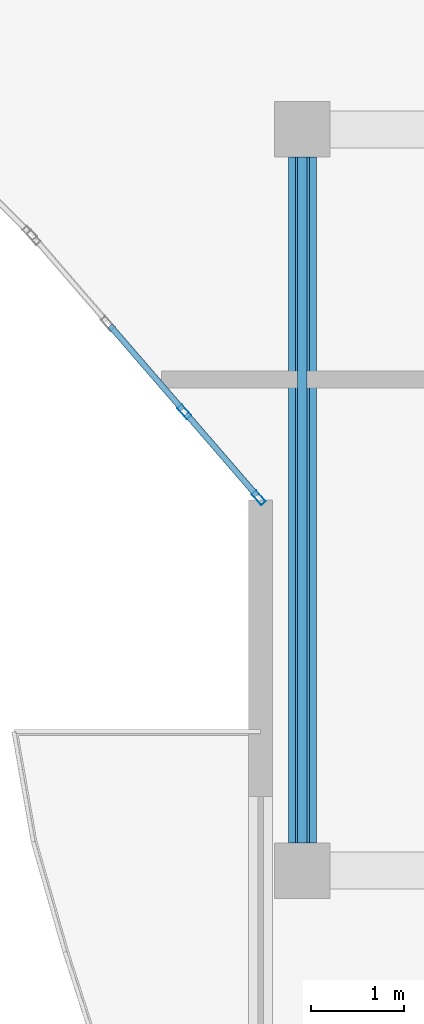
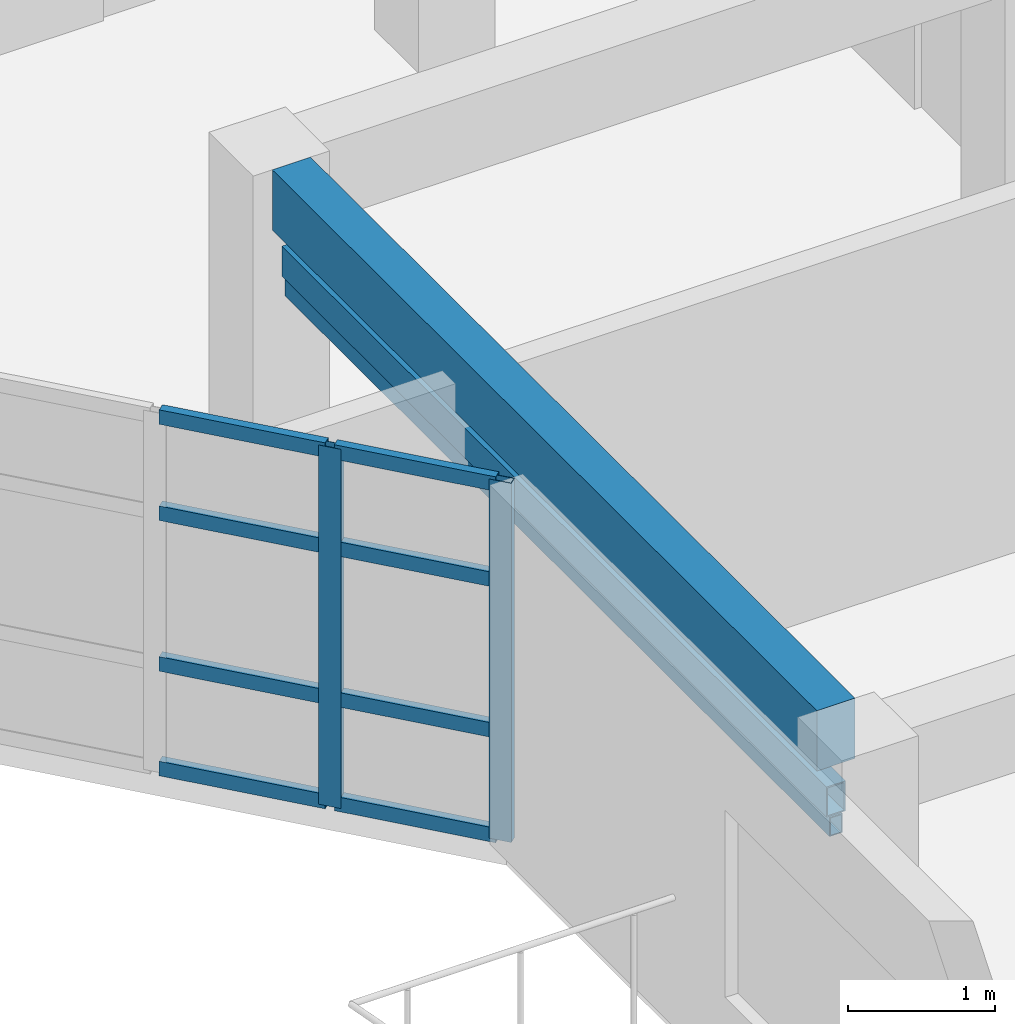
# One storey, part 12 of 76: 12 members, 1 beam, 1 element without a shape of its own.
"""IFC4 building model written with IfcOpenShell, lengths in metres."""

import ifcopenshell
import ifcopenshell.guid

model = None  # the IFC model being written
_history = None  # IfcOwnerHistory: only IFC2X3 demands one
_inside = {}  # id of a spatial element -> (the spatial element, [elements in it])
_under = {}  # id of a project, library or spatial element -> (it, [spatial elements below it])
_declared = {}  # id of a project -> (the project, [libraries it declares])
_typed = {}  # id of a type object -> (the type object, [elements of that type])
_made_of = {}  # id of a material, layer set ... -> (it, [elements and type objects made of it])


def new_model(schema):
    """Start an empty IFC model of exactly this schema.

    Asked for "IFC4X3", IfcOpenShell would pick the latest addendum, in which some entities
    have other attributes; the version numbers below select the first issue.
    IFC2X3 requires an IfcOwnerHistory on every rooted entity: one is made here for all.
    """
    global model, _history
    if schema == "IFC4X3":
        model = ifcopenshell.file(schema_version=(4, 3, 0, 0))
    else:
        model = ifcopenshell.file(schema=schema)
    _inside.clear()
    _under.clear()
    _declared.clear()
    _typed.clear()
    _made_of.clear()
    _history = None
    if model.schema == "IFC2X3":
        org = make("IfcOrganization", Name="unknown")
        user = make(
            "IfcPersonAndOrganization",
            ThePerson=make("IfcPerson", FamilyName="unknown"),
            TheOrganization=org,
        )
        app = make(
            "IfcApplication",
            ApplicationDeveloper=org,
            Version="unknown",
            ApplicationFullName="unknown",
            ApplicationIdentifier="unknown",
        )
        _history = make(
            "IfcOwnerHistory",
            OwningUser=user,
            OwningApplication=app,
            ChangeAction="ADDED",
            CreationDate=0,
        )
    return model


def make(cls, **values):
    """One entity of the class cls with the attributes given. An attribute that is None is left unset."""
    return model.create_entity(
        cls, **{name: value for name, value in values.items() if value is not None}
    )


def rooted(cls, **values):
    """An entity with a GlobalId (a new one), such as an element, a storey or a relation."""
    return make(cls, GlobalId=ifcopenshell.guid.new(), OwnerHistory=_history, **values)


def si_unit(unit_type, name, prefix=None):
    """IfcSIUnit, for example si_unit("LENGTHUNIT", "METRE", prefix="MILLI")."""
    return make("IfcSIUnit", UnitType=unit_type, Prefix=prefix, Name=name)


def assignment(units):
    """IfcUnitAssignment: the units of a project."""
    return None if units is None else make("IfcUnitAssignment", Units=units)


def point(xyz):
    """IfcCartesianPoint."""
    return None if xyz is None else make("IfcCartesianPoint", Coordinates=xyz)


def direction(xyz):
    """IfcDirection."""
    return None if xyz is None else make("IfcDirection", DirectionRatios=xyz)


def frame(location, z_axis=None, x_axis=None):
    """IfcAxis2Placement3D, a coordinate frame: its origin and axes. An axis left out is left unset."""
    return make(
        "IfcAxis2Placement3D",
        Location=point(location),
        Axis=direction(z_axis),
        RefDirection=direction(x_axis),
    )


def frame_2d(location, x_axis=None):
    """IfcAxis2Placement2D, a coordinate frame in the plane: its origin and x axis."""
    return make(
        "IfcAxis2Placement2D", Location=point(location), RefDirection=direction(x_axis)
    )


def origin():
    """The frame at (0, 0, 0) with its axes left unset."""
    return frame((0.0, 0.0, 0.0))


def origin_2d():
    """The frame at (0, 0) in the plane with its x axis left unset."""
    return frame_2d((0.0, 0.0))


def place(relative_to, where):
    """IfcLocalPlacement: puts the frame where relative to a parent placement (None: the world)."""
    return make(
        "IfcLocalPlacement", PlacementRelTo=relative_to, RelativePlacement=where
    )


def context(
    kind, dimensions, precision=None, world=None, true_north=None, identifier=None
):
    """IfcGeometricRepresentationContext, for example the 3D "Model" context."""
    return make(
        "IfcGeometricRepresentationContext",
        ContextIdentifier=identifier,
        ContextType=kind,
        CoordinateSpaceDimension=dimensions,
        Precision=precision,
        WorldCoordinateSystem=world,
        TrueNorth=true_north,
    )


def subcontext(parent, identifier, kind, view, scale=None):
    """IfcGeometricRepresentationSubContext, for example "Body" below "Model"."""
    return make(
        "IfcGeometricRepresentationSubContext",
        ContextIdentifier=identifier,
        ContextType=kind,
        ParentContext=parent,
        TargetScale=scale,
        TargetView=view,
    )


def project(units=None, contexts=None):
    """IfcProject with its units and contexts."""
    return rooted(
        "IfcProject",
        Name="project",
        RepresentationContexts=contexts,
        UnitsInContext=assignment(units),
    )


def spatial(cls, under=None, at=None, **own):
    """A site, building, storey or space (cls), placed at a placement, below another one or the project."""
    s = rooted(cls, ObjectPlacement=at, **own)
    if under is not None:
        _under.setdefault(under.id(), (under, []))[1].append(s)
    return s


def profile(cls, at=None, kind="AREA", **sizes):
    """A parametric profile (cls). Its sizes go by their IFC names, for example OverallWidth=200.0."""
    return make(cls, ProfileType=kind, Position=at, **sizes)


def rectangle(**sizes):
    """IfcRectangleProfileDef."""
    return profile("IfcRectangleProfileDef", **sizes)


def hollow_rectangle(**sizes):
    """IfcRectangleHollowProfileDef."""
    return profile("IfcRectangleHollowProfileDef", **sizes)


def extrude(swept, where, along, depth):
    """IfcExtrudedAreaSolid: the profile swept, set in the frame where, extruded along a direction by depth."""
    return make(
        "IfcExtrudedAreaSolid",
        SweptArea=swept,
        Position=where,
        ExtrudedDirection=direction(along),
        Depth=depth,
    )


def shape(context_of_items, identifier, shape_type, items):
    """IfcShapeRepresentation: the items that make up one representation, for example the "Body"."""
    return make(
        "IfcShapeRepresentation",
        ContextOfItems=context_of_items,
        RepresentationIdentifier=identifier,
        RepresentationType=shape_type,
        Items=items,
    )


def material(Name=None, Category=None):
    """IfcMaterial."""
    return make("IfcMaterial", Name=Name, Category=Category)


def layer(
    of_material, thickness, ventilated=None, Name=None, Category=None, Priority=None
):
    """IfcMaterialLayer: one layer of a wall or slab, of a material (None: an air gap)."""
    return make(
        "IfcMaterialLayer",
        Material=of_material,
        LayerThickness=thickness,
        IsVentilated=ventilated,
        Name=Name,
        Category=Category,
        Priority=Priority,
    )


def layer_set(layers, Name=None):
    """IfcMaterialLayerSet."""
    return make("IfcMaterialLayerSet", MaterialLayers=layers, LayerSetName=Name)


def material_profile(
    of_material, cross_section, Name=None, Category=None, Priority=None
):
    """IfcMaterialProfile: a cross section and its material."""
    return make(
        "IfcMaterialProfile",
        Name=Name,
        Material=of_material,
        Profile=cross_section,
        Priority=Priority,
        Category=Category,
    )


def profile_set(profiles, Name=None, composite=None):
    """IfcMaterialProfileSet."""
    return make(
        "IfcMaterialProfileSet",
        Name=Name,
        MaterialProfiles=profiles,
        CompositeProfile=composite,
    )


def made_of(thing, what):
    """Note that an element or type object is made of a material, layer set ...; save() writes the relation."""
    if what is not None:
        _made_of.setdefault(what.id(), (what, []))[1].append(thing)
    return thing


def type_object(cls, material=None, **own):
    """A type object (cls), such as IfcWallType, which elements share."""
    return made_of(rooted(cls, **own), material)


def element(
    cls,
    number,
    at=None,
    inside=None,
    cuts=None,
    type_object=None,
    material=None,
    context=None,
    identifier="Body",
    shape_type=None,
    held_by="IfcProductDefinitionShape",
    body=None,
    shapes=None,
    **own,
):
    """One element of the class cls, such as IfcWall. Its Tag is "e" and its number.

    at: its placement. inside: the storey or other place that contains it. cuts: it is an
    opening in that element (IfcRelVoidsElement). A single representation is given by context,
    identifier, shape_type and body (its items); several are given by shapes. held_by: the class
    of the entity that holds the representations. save() writes the other relations.
    """
    e = rooted(cls, Tag="e%d" % number, ObjectPlacement=at, **own)
    if body is not None:
        shapes = [shape(context, identifier, shape_type, body)]
    if shapes is not None:
        e.Representation = make(held_by, Representations=shapes)
    if inside is not None:
        _inside.setdefault(inside.id(), (inside, []))[1].append(e)
    if cuts is not None:
        rooted(
            "IfcRelVoidsElement", RelatingBuildingElement=cuts, RelatedOpeningElement=e
        )
    if type_object is not None:
        _typed.setdefault(type_object.id(), (type_object, []))[1].append(e)
    return made_of(e, material)


def aggregate(whole, parts):
    """IfcRelAggregates: a whole, such as a stair, and the parts it consists of."""
    return rooted("IfcRelAggregates", RelatingObject=whole, RelatedObjects=parts)


def save(model, path):
    """Write the relations noted so far, then the file.

    IfcRelAggregates (storeys below a building ...), IfcRelContainedInSpatialStructure (elements
    in a storey), IfcRelDefinesByType, IfcRelAssociatesMaterial and IfcRelDeclares: one each for
    every whole, place, type object, material and project.
    """
    for whole, parts in _under.values():
        aggregate(whole, parts)
    for where, things in _inside.values():
        rooted(
            "IfcRelContainedInSpatialStructure",
            RelatedElements=things,
            RelatingStructure=where,
        )
    for kind, things in _typed.values():
        rooted("IfcRelDefinesByType", RelatedObjects=things, RelatingType=kind)
    for what, things in _made_of.values():
        rooted("IfcRelAssociatesMaterial", RelatedObjects=things, RelatingMaterial=what)
    for by, libraries in _declared.values():
        rooted("IfcRelDeclares", RelatingContext=by, RelatedDefinitions=libraries)
    model.write(path)


model = new_model("IFC4")

# Units and contexts
model_context = context("Model", 3, precision=1e-05, world=origin(), true_north=direction((0.0, 1.0)))
body_context = subcontext(model_context, "Body", "Model", "MODEL_VIEW")
ifc_project = project(units=[si_unit("LENGTHUNIT", "METRE"), si_unit("AREAUNIT", "SQUARE_METRE"), si_unit("VOLUMEUNIT", "CUBIC_METRE"), si_unit("PLANEANGLEUNIT", "RADIAN"), si_unit("MASSUNIT", "GRAM", prefix="KILO")], contexts=[model_context])

# Site, building, storey
site_placement = place(None, origin())
site = spatial("IfcSite", under=ifc_project, at=site_placement, CompositionType="ELEMENT")
building_placement = place(site_placement, origin())
building = spatial("IfcBuilding", under=site, at=building_placement, Name="Keldmere Railside Commons", CompositionType="ELEMENT")
storey_placement = place(building_placement, frame((0.0, 0.0, 13.760009765625)))
storey = spatial("IfcBuildingStorey", under=building, at=storey_placement, Name="L04", CompositionType="ELEMENT", Elevation=13.760009765625)

# Member
ifc_material_1 = material(Name="Steel F-36 (S355)", Category="steel")
ifc_material_profile_1 = material_profile(ifc_material_1, hollow_rectangle(XDim=0.14990234375, YDim=0.25, WallThickness=0.010009765625, at=origin_2d()), Name="RHS-250x150x10")
ifc_profile_set_1 = profile_set([ifc_material_profile_1], Name="Steel F-36 (S355)")
member_type_1 = type_object("IfcMemberType", Name="Balcony Continuous Planted Trough RHS250x150", PredefinedType="CHORD", material=ifc_profile_set_1)
member_1_placement = place(storey_placement, frame((104.449951171875, 88.300048828125, 2.4150390625), z_axis=(0.0, 1.0, 0.0), x_axis=(-1.0, 0.0, 0.0)))
element("IfcMember", 1, at=member_1_placement, inside=storey, type_object=member_type_1, Name="PLT-1 MEM-BPLT-0523", PredefinedType="CHORD", context=body_context, shape_type="SweptSolid", body=[
    extrude(hollow_rectangle(XDim=0.14990234375, YDim=0.25, WallThickness=0.010009765625, at=origin_2d()), origin(), (0.0, 0.0, 1.0), 7.39990234375),
])

# Beam
ifc_material_2 = material(Name="Concrete H-30 (C30/37)", Category="concrete")
ifc_material_profile_2 = material_profile(ifc_material_2, rectangle(XDim=0.300048828125, YDim=0.5, at=origin_2d()), Name="RC-300x500")
ifc_profile_set_2 = profile_set([ifc_material_profile_2], Name="Concrete H-30 (C30/37)")
beam_type = type_object("IfcBeamType", Name="Secondary Frame RC Beam 300x500", PredefinedType="BEAM", material=ifc_profile_set_2)
beam_placement = place(storey_placement, frame((104.449951171875, 88.300048828125, 2.949951171875), z_axis=(0.0, 1.0, 0.0), x_axis=(-1.0, 0.0, 0.0)))
element("IfcBeam", 2, at=beam_placement, inside=storey, type_object=beam_type, Name="BG-5 BM-L04-1648", PredefinedType="BEAM", context=body_context, shape_type="SweptSolid", body=[
    extrude(rectangle(XDim=0.300048828125, YDim=0.5, at=origin_2d()), origin(), (0.0, 0.0, 1.0), 7.39990234375),
])

# Member
ifc_material_profile_3 = material_profile(ifc_material_1, hollow_rectangle(XDim=0.10009765625, YDim=0.159912109375, WallThickness=0.008056640625, at=origin_2d()), Name="RHS-160x100x8")
ifc_profile_set_3 = profile_set([ifc_material_profile_3], Name="Steel F-36 (S355)")
member_type_2 = type_object("IfcMemberType", Name="Solar Brise-Soleil Louvre Fin RHS160x100", PredefinedType="STRUT", material=ifc_profile_set_3)
member_2_placement = place(storey_placement, frame((104.449951171875, 88.300048828125, 2.199951171875), z_axis=(0.0, 1.0, 0.0), x_axis=(-1.0, 0.0, 0.0)))
element("IfcMember", 3, at=member_2_placement, inside=storey, type_object=member_type_2, Name="BSF-1 MEM-BSF-0524", PredefinedType="STRUT", context=body_context, shape_type="SweptSolid", body=[
    extrude(hollow_rectangle(XDim=0.10009765625, YDim=0.159912109375, WallThickness=0.008056640625, at=origin_2d()), origin(), (0.0, 0.0, 1.0), 7.39990234375),
])

# Curtain wall, members
ifc_material_3 = material(Name="Thermally Broken Aluminium", Category="aluminium")
ifc_layer = layer(ifc_material_3, 0.159912109375, Name="Court Chord Wintergarden CW 4800x2850")
ifc_layer_set = layer_set([ifc_layer], Name="Thermally Broken Aluminium")
curtain_wall_type = type_object("IfcCurtainWallType", Name="Court Chord Wintergarden CW 4800x2850", PredefinedType="NOTDEFINED", material=ifc_layer_set)
curtain_wall_placement = place(storey_placement, origin())
curtain_wall = element("IfcCurtainWall", 4, at=curtain_wall_placement, inside=storey, type_object=curtain_wall_type, Name="CW-12 CW-L04-114", PredefinedType="NOTDEFINED")
ifc_material_profile_4 = material_profile(ifc_material_3, hollow_rectangle(XDim=0.06494140625, YDim=0.159912109375, WallThickness=0.00390625, at=origin_2d()), Name="ALU-MULL-65x160")
ifc_profile_set_4 = profile_set([ifc_material_profile_4], Name="Thermally Broken Aluminium")
member_type_3 = type_object("IfcMemberType", Name="Unitised Curtain Wall Mullion 65x160", PredefinedType="MULLION", material=ifc_profile_set_4)
member_3_placement = place(storey_placement, frame((103.978759765625, 92.024658203125, 0.0), z_axis=(0.0, 0.0, 1.0), x_axis=(-0.756596767584, -0.653881741053, 0.0)))
member_3 = element("IfcMember", 5, at=member_3_placement, type_object=member_type_3, Name="CW-12 mullion 1", PredefinedType="MULLION", context=body_context, shape_type="SweptSolid", body=[
    extrude(hollow_rectangle(XDim=0.06494140625, YDim=0.159912109375, WallThickness=0.00390625, at=origin_2d()), origin(), (0.0, 0.0, 1.0), 2.97998046875),
])
member_4_placement = place(storey_placement, frame((103.1767578125, 92.95263671875, 0.0), z_axis=(0.0, 0.0, 1.0), x_axis=(-0.756596767584, -0.653881741053, 0.0)))
member_4 = element("IfcMember", 6, at=member_4_placement, type_object=member_type_3, Name="CW-12 mullion 2", PredefinedType="MULLION", context=body_context, shape_type="SweptSolid", body=[
    extrude(hollow_rectangle(XDim=0.06494140625, YDim=0.159912109375, WallThickness=0.00390625, at=origin_2d()), origin(), (0.0, 0.0, 1.0), 2.97998046875),
])
ifc_material_profile_5 = material_profile(ifc_material_3, hollow_rectangle(XDim=0.06494140625, YDim=0.1201171875, WallThickness=0.00390625, at=origin_2d()), Name="ALU-TRAN-65x120")
ifc_profile_set_5 = profile_set([ifc_material_profile_5], Name="Thermally Broken Aluminium")
member_type_4 = type_object("IfcMemberType", Name="Unitised Curtain Wall Transom 65x120", PredefinedType="USERDEFINED", material=ifc_profile_set_5)
member_5_placement = place(storey_placement, frame((103.95751953125, 92.049072265625, 0.032470703125), z_axis=(-0.653849663033, 0.756624489527, 0.0), x_axis=(-0.756624489527, -0.653849663033, 0.0)))
member_5 = element("IfcMember", 7, at=member_5_placement, type_object=member_type_4, Name="CW-12 transom 1.1", ObjectType="TRANSOM", PredefinedType="USERDEFINED", context=body_context, shape_type="SweptSolid", body=[
    extrude(hollow_rectangle(XDim=0.06494140625, YDim=0.1201171875, WallThickness=0.00390625, at=origin_2d()), origin(), (0.0, 0.0, 1.0), 1.16162109375),
])
member_6_placement = place(storey_placement, frame((103.95751953125, 92.049072265625, 0.89990234375), z_axis=(-0.653849663033, 0.756624489527, 0.0), x_axis=(-0.756624489527, -0.653849663033, 0.0)))
member_6 = element("IfcMember", 8, at=member_6_placement, type_object=member_type_4, Name="CW-12 transom 1.2", ObjectType="TRANSOM", PredefinedType="USERDEFINED", context=body_context, shape_type="SweptSolid", body=[
    extrude(hollow_rectangle(XDim=0.06494140625, YDim=0.1201171875, WallThickness=0.00390625, at=origin_2d()), origin(), (0.0, 0.0, 1.0), 1.16162109375),
])
member_7_placement = place(storey_placement, frame((103.95751953125, 92.049072265625, 2.14990234375), z_axis=(-0.653849663033, 0.756624489527, 0.0), x_axis=(-0.756624489527, -0.653849663033, 0.0)))
member_7 = element("IfcMember", 9, at=member_7_placement, type_object=member_type_4, Name="CW-12 transom 1.3", ObjectType="TRANSOM", PredefinedType="USERDEFINED", context=body_context, shape_type="SweptSolid", body=[
    extrude(hollow_rectangle(XDim=0.06494140625, YDim=0.1201171875, WallThickness=0.00390625, at=origin_2d()), origin(), (0.0, 0.0, 1.0), 1.16162109375),
])
member_8_placement = place(storey_placement, frame((103.95751953125, 92.049072265625, 2.947509765625), z_axis=(-0.653849663033, 0.756624489527, 0.0), x_axis=(-0.756624489527, -0.653849663033, 0.0)))
member_8 = element("IfcMember", 10, at=member_8_placement, type_object=member_type_4, Name="CW-12 transom 1.4", ObjectType="TRANSOM", PredefinedType="USERDEFINED", context=body_context, shape_type="SweptSolid", body=[
    extrude(hollow_rectangle(XDim=0.06494140625, YDim=0.1201171875, WallThickness=0.00390625, at=origin_2d()), origin(), (0.0, 0.0, 1.0), 1.16162109375),
])
member_9_placement = place(storey_placement, frame((103.155517578125, 92.977294921875, 0.032470703125), z_axis=(-0.653933819796, 0.756551755881, 0.0), x_axis=(-0.756551755881, -0.653933819796, 0.0)))
member_9 = element("IfcMember", 11, at=member_9_placement, type_object=member_type_4, Name="CW-12 transom 2.1", ObjectType="TRANSOM", PredefinedType="USERDEFINED", context=body_context, shape_type="SweptSolid", body=[
    extrude(hollow_rectangle(XDim=0.06494140625, YDim=0.1201171875, WallThickness=0.00390625, at=origin_2d()), origin(), (0.0, 0.0, 1.0), 1.1943359375),
])
member_10_placement = place(storey_placement, frame((103.155517578125, 92.977294921875, 0.89990234375), z_axis=(-0.653933819796, 0.756551755881, 0.0), x_axis=(-0.756551755881, -0.653933819796, 0.0)))
member_10 = element("IfcMember", 12, at=member_10_placement, type_object=member_type_4, Name="CW-12 transom 2.2", ObjectType="TRANSOM", PredefinedType="USERDEFINED", context=body_context, shape_type="SweptSolid", body=[
    extrude(hollow_rectangle(XDim=0.06494140625, YDim=0.1201171875, WallThickness=0.00390625, at=origin_2d()), origin(), (0.0, 0.0, 1.0), 1.1943359375),
])
member_11_placement = place(storey_placement, frame((103.155517578125, 92.977294921875, 2.14990234375), z_axis=(-0.653933819796, 0.756551755881, 0.0), x_axis=(-0.756551755881, -0.653933819796, 0.0)))
member_11 = element("IfcMember", 13, at=member_11_placement, type_object=member_type_4, Name="CW-12 transom 2.3", ObjectType="TRANSOM", PredefinedType="USERDEFINED", context=body_context, shape_type="SweptSolid", body=[
    extrude(hollow_rectangle(XDim=0.06494140625, YDim=0.1201171875, WallThickness=0.00390625, at=origin_2d()), origin(), (0.0, 0.0, 1.0), 1.1943359375),
])
member_12_placement = place(storey_placement, frame((103.155517578125, 92.977294921875, 2.947509765625), z_axis=(-0.653933819796, 0.756551755881, 0.0), x_axis=(-0.756551755881, -0.653933819796, 0.0)))
member_12 = element("IfcMember", 14, at=member_12_placement, type_object=member_type_4, Name="CW-12 transom 2.4", ObjectType="TRANSOM", PredefinedType="USERDEFINED", context=body_context, shape_type="SweptSolid", body=[
    extrude(hollow_rectangle(XDim=0.06494140625, YDim=0.1201171875, WallThickness=0.00390625, at=origin_2d()), origin(), (0.0, 0.0, 1.0), 1.1943359375),
])
aggregate(curtain_wall, [member_3, member_4, member_5, member_6, member_7, member_8, member_9, member_10, member_11, member_12])

save(model, "model.ifc")
